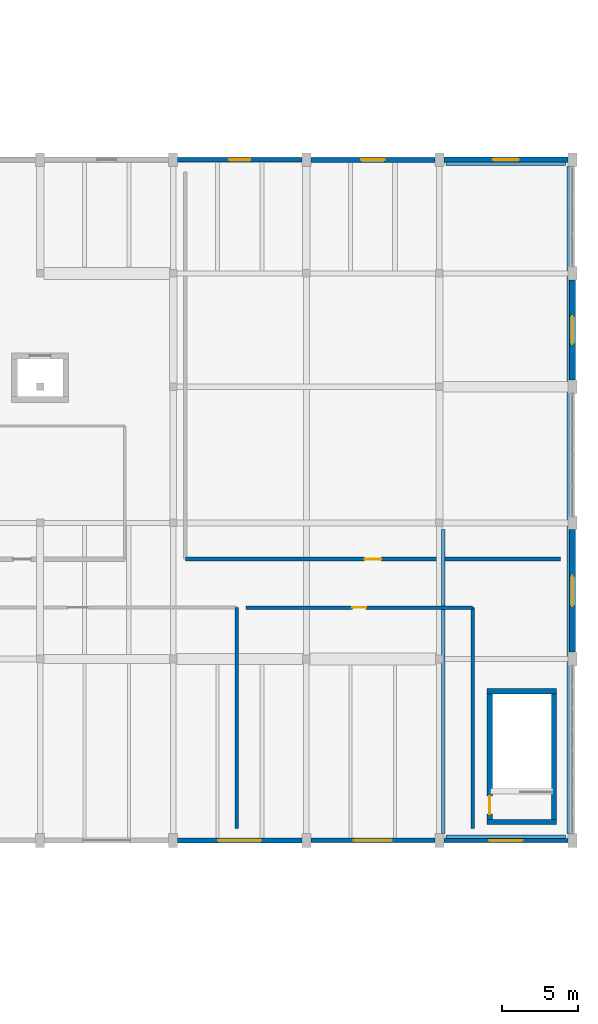
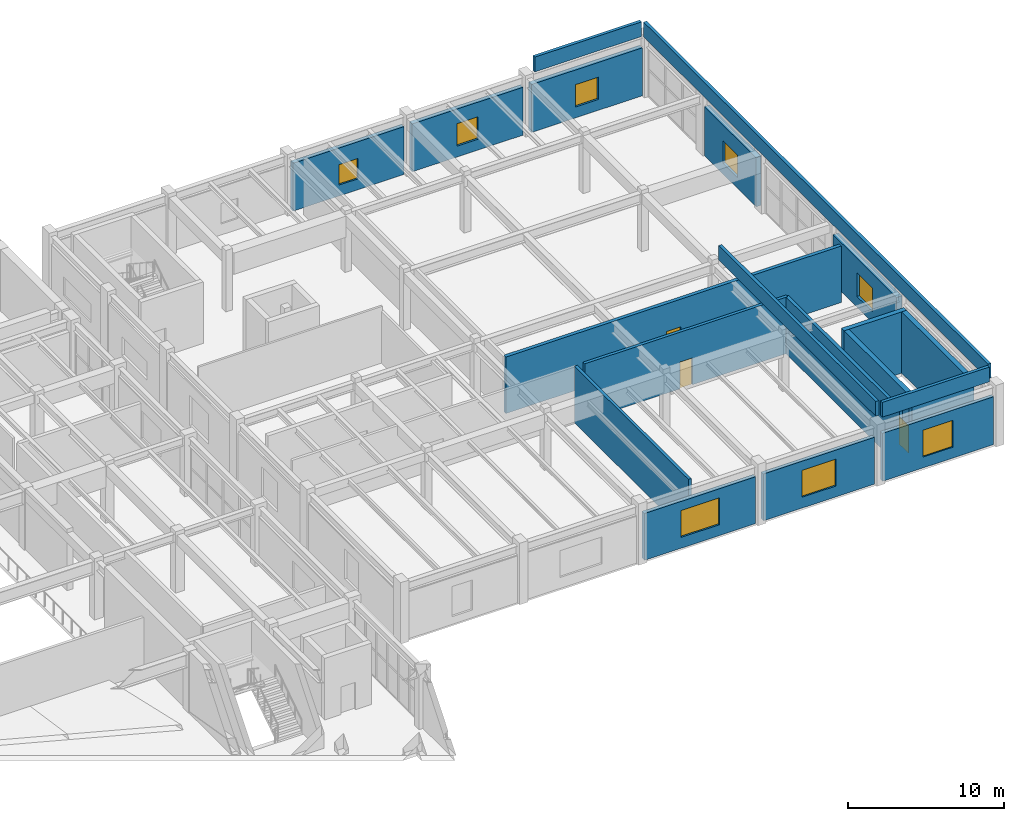
# One storey, part 63 of 80: 20 walls, 8 windows, 3 doors, 11 openings.
"""IFC4 building model written with IfcOpenShell, lengths in metres."""

from ifc_helpers import new_model, si_unit, direction, frame, frame_2d, origin, place, context, subcontext, project, spatial, rectangle, extrude, material, layer, layer_set, type_object, element, fill, save


model = new_model("IFC4")

# Units and contexts
model_context = context("Model", 3, precision=1e-05, world=origin(), true_north=direction((0.0, 1.0)))
body_context = subcontext(model_context, "Body", "Model", "MODEL_VIEW")
ifc_project = project(units=[si_unit("LENGTHUNIT", "METRE"), si_unit("AREAUNIT", "SQUARE_METRE"), si_unit("VOLUMEUNIT", "CUBIC_METRE"), si_unit("PLANEANGLEUNIT", "RADIAN"), si_unit("MASSUNIT", "GRAM", prefix="KILO")], contexts=[model_context])

# Site, building, storey
site_placement = place(None, origin())
site = spatial("IfcSite", under=ifc_project, at=site_placement, CompositionType="ELEMENT")
building_placement = place(site_placement, origin())
building = spatial("IfcBuilding", under=site, at=building_placement, Name="Vaelkrest Opera House", CompositionType="ELEMENT")
storey_placement = place(building_placement, frame((0.0, 0.0, 15.0)))
storey = spatial("IfcBuildingStorey", under=building, at=storey_placement, Name="L03", CompositionType="ELEMENT", Elevation=15.0)

# Wall, opening, window
ifc_material_1 = material(Name="Douglas fir glulam GL28h", Category="wood")
ifc_layer_1 = layer(ifc_material_1, 0.27490234375)
ifc_layer_set_1 = layer_set([ifc_layer_1], Name="Douglas fir glulam GL28h")
wall_type_1 = type_object("IfcWallType", Name="EW02", PredefinedType="STANDARD", material=ifc_layer_set_1)
wall_1_placement = place(storey_placement, frame((77.302001953125, -19.800048828125, 0.0), z_axis=(0.0, 0.0, 1.0), x_axis=(-1.0, 0.0, 0.0)))
wall_1 = element("IfcWall", 1, at=wall_1_placement, inside=storey, type_object=wall_type_1, Name="Exterior facade wall EW-V4-L03-0262", PredefinedType="STANDARD", context=body_context, shape_type="SweptSolid", body=[
    extrude(rectangle(XDim=8.2041015625, YDim=0.27490234375, at=frame_2d((4.10205078125, 0.0))), origin(), (0.0, 0.0, 1.0), 3.7451171875),
])
opening_1_placement = place(wall_1_placement, frame((3.001953125, 0.0, 0.85009765625)))
opening_1 = element("IfcOpeningElement", 2, at=opening_1_placement, cuts=wall_1, Name="Opening WN147", PredefinedType="OPENING", context=body_context, shape_type="SweptSolid", body=[
    extrude(rectangle(XDim=2.199951171875, YDim=2.10009765625, at=frame_2d((1.10009765625, 1.050048828125))), frame((0.0, 0.1474609375, 0.0), z_axis=(0.0, -1.0, 0.0), x_axis=(1.0, 0.0, 0.0)), (0.0, 0.0, 1.0), 0.294921875),
])
ifc_material_2 = material(Name="Double low-E insulated glazing", Category="glass")
window_type_1 = type_object("IfcWindowType", Name="WT17", PartitioningType="SINGLE_PANEL", PredefinedType="WINDOW", material=ifc_material_2)
window_1_placement = place(opening_1_placement, origin())
window_1 = element("IfcWindow", 3, at=window_1_placement, inside=storey, type_object=window_type_1, Name="Facade window WN147", OverallHeight=2.10009765625, OverallWidth=2.199951171875, PartitioningType="SINGLE_PANEL", PredefinedType="WINDOW", context=body_context, shape_type="SweptSolid", body=[
    extrude(rectangle(XDim=2.199951171875, YDim=2.10009765625, at=frame_2d((1.10009765625, 1.050048828125))), frame((0.0, 0.030029296875, 0.0), z_axis=(0.0, -1.0, 0.0), x_axis=(1.0, 0.0, 0.0)), (0.0, 0.0, 1.0), 0.06005859375),
])
fill(opening_1, window_1)

ifc_layer_2 = layer(ifc_material_1, 0.294921875)
ifc_layer_set_2 = layer_set([ifc_layer_2], Name="Douglas fir glulam GL28h")
wall_type_2 = type_object("IfcWallType", Name="EW03", PredefinedType="STANDARD", material=ifc_layer_set_2)
wall_2_placement = place(storey_placement, frame((68.501953125, -19.800048828125, 0.0), z_axis=(0.0, 0.0, 1.0), x_axis=(-1.0, 0.0, 0.0)))
wall_2 = element("IfcWall", 4, at=wall_2_placement, inside=storey, type_object=wall_type_2, Name="Exterior facade wall EW-V4-L03-0263", PredefinedType="STANDARD", context=body_context, shape_type="SweptSolid", body=[
    extrude(rectangle(XDim=8.203857421875, YDim=0.294921875, at=frame_2d((4.10205078125, 0.0))), origin(), (0.0, 0.0, 1.0), 3.659912109375),
])
opening_2_placement = place(wall_2_placement, frame((2.85205078125, 0.0, 0.85009765625)))
opening_2 = element("IfcOpeningElement", 5, at=opening_2_placement, cuts=wall_2, Name="Opening WN148", PredefinedType="OPENING", context=body_context, shape_type="SweptSolid", body=[
    extrude(rectangle(XDim=2.5, YDim=2.10009765625, at=frame_2d((1.25, 1.050048828125))), frame((0.0, 0.157470703125, 0.0), z_axis=(0.0, -1.0, 0.0), x_axis=(1.0, 0.0, 0.0)), (0.0, 0.0, 1.0), 0.31494140625),
])
window_type_2 = type_object("IfcWindowType", Name="WT18", PartitioningType="SINGLE_PANEL", PredefinedType="WINDOW", material=ifc_material_2)
window_2_placement = place(opening_2_placement, origin())
window_2 = element("IfcWindow", 6, at=window_2_placement, inside=storey, type_object=window_type_2, Name="Facade window WN148", OverallHeight=2.10009765625, OverallWidth=2.5, PartitioningType="SINGLE_PANEL", PredefinedType="WINDOW", context=body_context, shape_type="SweptSolid", body=[
    extrude(rectangle(XDim=2.5, YDim=2.10009765625, at=frame_2d((1.25, 1.050048828125))), frame((0.0, 0.030029296875, 0.0), z_axis=(0.0, -1.0, 0.0), x_axis=(1.0, 0.0, 0.0)), (0.0, 0.0, 1.0), 0.06005859375),
])
fill(opening_2, window_2)

ifc_material_3 = material(Name="American black walnut acoustic timber", Category="wood")
ifc_layer_3 = layer(ifc_material_3, 0.31494140625)
ifc_layer_set_3 = layer_set([ifc_layer_3], Name="American black walnut acoustic timber")
wall_type_3 = type_object("IfcWallType", Name="EW04", PredefinedType="STANDARD", material=ifc_layer_set_3)
wall_3_placement = place(storey_placement, frame((59.701904296875, -19.800048828125, 0.0), z_axis=(0.0, 0.0, 1.0), x_axis=(-1.0, 0.0, 0.0)))
wall_3 = element("IfcWall", 7, at=wall_3_placement, inside=storey, type_object=wall_type_3, Name="Exterior facade wall EW-V4-L03-0264", PredefinedType="STANDARD", context=body_context, shape_type="SweptSolid", body=[
    extrude(rectangle(XDim=8.203857421875, YDim=0.31494140625, at=frame_2d((4.10205078125, 0.0))), origin(), (0.0, 0.0, 1.0), 3.659912109375),
])
opening_3_placement = place(wall_3_placement, frame((2.677001953125, 0.0, 0.85009765625)))
opening_3 = element("IfcOpeningElement", 8, at=opening_3_placement, cuts=wall_3, Name="Opening WN149", PredefinedType="OPENING", context=body_context, shape_type="SweptSolid", body=[
    extrude(rectangle(XDim=2.85009765625, YDim=2.10009765625, at=frame_2d((1.425048828125, 1.050048828125))), frame((0.0, 0.16748046875, 0.0), z_axis=(0.0, -1.0, 0.0), x_axis=(1.0, 0.0, 0.0)), (0.0, 0.0, 1.0), 0.3349609375),
])
window_type_3 = type_object("IfcWindowType", Name="WT19", PartitioningType="SINGLE_PANEL", PredefinedType="WINDOW", material=ifc_material_2)
window_3_placement = place(opening_3_placement, origin())
window_3 = element("IfcWindow", 9, at=window_3_placement, inside=storey, type_object=window_type_3, Name="Facade window WN149", OverallHeight=2.10009765625, OverallWidth=2.85009765625, PartitioningType="SINGLE_PANEL", PredefinedType="WINDOW", context=body_context, shape_type="SweptSolid", body=[
    extrude(rectangle(XDim=2.85009765625, YDim=2.10009765625, at=frame_2d((1.425048828125, 1.050048828125))), frame((0.0, 0.030029296875, 0.0), z_axis=(0.0, -1.0, 0.0), x_axis=(1.0, 0.0, 0.0)), (0.0, 0.0, 1.0), 0.06005859375),
])
fill(opening_3, window_3)

wall_4_placement = place(storey_placement, frame((51.498046875, 25.199951171875, 0.0), z_axis=(0.0, 0.0, 1.0), x_axis=(1.0, 0.0, 0.0)))
wall_4 = element("IfcWall", 10, at=wall_4_placement, inside=storey, type_object=wall_type_3, Name="Exterior facade wall EW-V4-L03-0274", PredefinedType="STANDARD", context=body_context, shape_type="SweptSolid", body=[
    extrude(rectangle(XDim=8.203857421875, YDim=0.31494140625, at=frame_2d((4.10205078125, 0.0))), origin(), (0.0, 0.0, 1.0), 3.7451171875),
])
opening_4_placement = place(wall_4_placement, frame((3.402099609375, 0.0, 0.85009765625)))
opening_4 = element("IfcOpeningElement", 11, at=opening_4_placement, cuts=wall_4, Name="Opening WN159", PredefinedType="OPENING", context=body_context, shape_type="SweptSolid", body=[
    extrude(rectangle(XDim=1.39990234375, YDim=1.60009765625, at=frame_2d((0.699951171875, 0.800048828125))), frame((0.0, 0.16748046875, 0.0), z_axis=(0.0, -1.0, 0.0), x_axis=(1.0, 0.0, 0.0)), (0.0, 0.0, 1.0), 0.3349609375),
])
window_type_4 = type_object("IfcWindowType", Name="WT03", PartitioningType="SINGLE_PANEL", PredefinedType="WINDOW", material=ifc_material_2)
window_4_placement = place(opening_4_placement, origin())
window_4 = element("IfcWindow", 12, at=window_4_placement, inside=storey, type_object=window_type_4, Name="Facade window WN159", OverallHeight=1.60009765625, OverallWidth=1.39990234375, PartitioningType="SINGLE_PANEL", PredefinedType="WINDOW", context=body_context, shape_type="SweptSolid", body=[
    extrude(rectangle(XDim=1.39990234375, YDim=1.60009765625, at=frame_2d((0.699951171875, 0.800048828125))), frame((0.0, 0.030029296875, 0.0), z_axis=(0.0, -1.0, 0.0), x_axis=(1.0, 0.0, 0.0)), (0.0, 0.0, 1.0), 0.06005859375),
])
fill(opening_4, window_4)

ifc_layer_4 = layer(ifc_material_3, 0.3349609375)
ifc_layer_set_4 = layer_set([ifc_layer_4], Name="American black walnut acoustic timber")
wall_type_4 = type_object("IfcWallType", Name="EW05", PredefinedType="STANDARD", material=ifc_layer_set_4)
wall_5_placement = place(storey_placement, frame((60.298095703125, 25.199951171875, 0.0), z_axis=(0.0, 0.0, 1.0), x_axis=(1.0, 0.0, 0.0)))
wall_5 = element("IfcWall", 13, at=wall_5_placement, inside=storey, type_object=wall_type_4, Name="Exterior facade wall EW-V4-L03-0275", PredefinedType="STANDARD", context=body_context, shape_type="SweptSolid", body=[
    extrude(rectangle(XDim=8.203857421875, YDim=0.3349609375, at=frame_2d((4.10205078125, 0.0))), origin(), (0.0, 0.0, 1.0), 3.7451171875),
])
opening_5_placement = place(wall_5_placement, frame((3.326904296875, 0.0, 0.85009765625)))
opening_5 = element("IfcOpeningElement", 14, at=opening_5_placement, cuts=wall_5, Name="Opening WN160", PredefinedType="OPENING", context=body_context, shape_type="SweptSolid", body=[
    extrude(rectangle(XDim=1.550048828125, YDim=1.75, at=frame_2d((0.77490234375, 0.875))), frame((0.0, 0.177490234375, 0.0), z_axis=(0.0, -1.0, 0.0), x_axis=(1.0, 0.0, 0.0)), (0.0, 0.0, 1.0), 0.35498046875),
])
window_type_5 = type_object("IfcWindowType", Name="WT04", PartitioningType="SINGLE_PANEL", PredefinedType="WINDOW", material=ifc_material_2)
window_5_placement = place(opening_5_placement, origin())
window_5 = element("IfcWindow", 15, at=window_5_placement, inside=storey, type_object=window_type_5, Name="Facade window WN160", OverallHeight=1.75, OverallWidth=1.550048828125, PartitioningType="SINGLE_PANEL", PredefinedType="WINDOW", context=body_context, shape_type="SweptSolid", body=[
    extrude(rectangle(XDim=1.550048828125, YDim=1.75, at=frame_2d((0.77490234375, 0.875))), frame((0.0, 0.030029296875, 0.0), z_axis=(0.0, -1.0, 0.0), x_axis=(1.0, 0.0, 0.0)), (0.0, 0.0, 1.0), 0.06005859375),
])
fill(opening_5, window_5)

ifc_layer_5 = layer(ifc_material_3, 0.360107421875)
ifc_layer_set_5 = layer_set([ifc_layer_5], Name="American black walnut acoustic timber")
wall_type_5 = type_object("IfcWallType", Name="EW06", PredefinedType="STANDARD", material=ifc_layer_set_5)
wall_6_placement = place(storey_placement, frame((69.097900390625, 25.199951171875, 0.0), z_axis=(0.0, 0.0, 1.0), x_axis=(1.0, 0.0, 0.0)))
wall_6 = element("IfcWall", 16, at=wall_6_placement, inside=storey, type_object=wall_type_5, Name="Exterior facade wall EW-V4-L03-0276", PredefinedType="STANDARD", context=body_context, shape_type="SweptSolid", body=[
    extrude(rectangle(XDim=8.2041015625, YDim=0.360107421875, at=frame_2d((4.10205078125, 0.0))), origin(), (0.0, 0.0, 1.0), 3.7451171875),
])
opening_6_placement = place(wall_6_placement, frame((3.251953125, 0.0, 0.85009765625)))
opening_6 = element("IfcOpeningElement", 17, at=opening_6_placement, cuts=wall_6, Name="Opening WN161", PredefinedType="OPENING", context=body_context, shape_type="SweptSolid", body=[
    extrude(rectangle(XDim=1.699951171875, YDim=1.75, at=frame_2d((0.85009765625, 0.875))), frame((0.0, 0.18994140625, 0.0), z_axis=(0.0, -1.0, 0.0), x_axis=(1.0, 0.0, 0.0)), (0.0, 0.0, 1.0), 0.380126953125),
])
window_type_6 = type_object("IfcWindowType", Name="WT05", PartitioningType="SINGLE_PANEL", PredefinedType="WINDOW", material=ifc_material_2)
window_6_placement = place(opening_6_placement, origin())
window_6 = element("IfcWindow", 18, at=window_6_placement, inside=storey, type_object=window_type_6, Name="Facade window WN161", OverallHeight=1.75, OverallWidth=1.699951171875, PartitioningType="SINGLE_PANEL", PredefinedType="WINDOW", context=body_context, shape_type="SweptSolid", body=[
    extrude(rectangle(XDim=1.699951171875, YDim=1.75, at=frame_2d((0.85009765625, 0.875))), frame((0.0, 0.030029296875, 0.0), z_axis=(0.0, -1.0, 0.0), x_axis=(1.0, 0.0, 0.0)), (0.0, 0.0, 1.0), 0.06005859375),
])
fill(opening_6, window_6)

ifc_material_4 = material(Name="Concrete C40/50", Category="concrete")
ifc_layer_6 = layer(ifc_material_4, 0.385009765625)
ifc_layer_set_6 = layer_set([ifc_layer_6], Name="Concrete C40/50")
wall_type_6 = type_object("IfcWallType", Name="EW07", PredefinedType="STANDARD", material=ifc_layer_set_6)
wall_7_placement = place(storey_placement, frame((77.60009765625, 17.251953125, 0.0), z_axis=(0.0, 0.0, 1.0), x_axis=(0.0, -1.0, 0.0)))
wall_7 = element("IfcWall", 19, at=wall_7_placement, inside=storey, type_object=wall_type_6, Name="Exterior facade wall EW-V4-L03-0277", PredefinedType="STANDARD", context=body_context, shape_type="SweptSolid", body=[
    extrude(rectangle(XDim=6.60400390625, YDim=0.385009765625, at=frame_2d((3.302001953125, 0.0))), origin(), (0.0, 0.0, 1.0), 3.8291015625),
])
opening_7_placement = place(wall_7_placement, frame((2.376953125, 0.0, 0.85009765625)))
opening_7 = element("IfcOpeningElement", 20, at=opening_7_placement, cuts=wall_7, Name="Opening WN162", PredefinedType="OPENING", context=body_context, shape_type="SweptSolid", body=[
    extrude(rectangle(XDim=1.85009765625, YDim=1.75, at=frame_2d((0.925048828125, 0.875))), frame((0.0, 0.202392578125, 0.0), z_axis=(0.0, -1.0, 0.0), x_axis=(1.0, 0.0, 0.0)), (0.0, 0.0, 1.0), 0.405029296875),
])
window_type_7 = type_object("IfcWindowType", Name="WT06", PartitioningType="SINGLE_PANEL", PredefinedType="WINDOW", material=ifc_material_2)
window_7_placement = place(opening_7_placement, origin())
window_7 = element("IfcWindow", 21, at=window_7_placement, inside=storey, type_object=window_type_7, Name="Facade window WN162", OverallHeight=1.75, OverallWidth=1.85009765625, PartitioningType="SINGLE_PANEL", PredefinedType="WINDOW", context=body_context, shape_type="SweptSolid", body=[
    extrude(rectangle(XDim=1.85009765625, YDim=1.75, at=frame_2d((0.925048828125, 0.875))), frame((0.0, 0.030029296875, 0.0), z_axis=(0.0, -1.0, 0.0), x_axis=(1.0, 0.0, 0.0)), (0.0, 0.0, 1.0), 0.06005859375),
])
fill(opening_7, window_7)

ifc_layer_7 = layer(ifc_material_4, 0.409912109375)
ifc_layer_set_7 = layer_set([ifc_layer_7], Name="Concrete C40/50")
wall_type_7 = type_object("IfcWallType", Name="EW08", PredefinedType="STANDARD", material=ifc_layer_set_7)
wall_8_placement = place(storey_placement, frame((77.60009765625, 0.751953125, 0.0), z_axis=(0.0, 0.0, 1.0), x_axis=(0.0, -1.0, 0.0)))
wall_8 = element("IfcWall", 22, at=wall_8_placement, inside=storey, type_object=wall_type_7, Name="Exterior facade wall EW-V4-L03-0278", PredefinedType="STANDARD", context=body_context, shape_type="SweptSolid", body=[
    extrude(rectangle(XDim=8.10400390625, YDim=0.409912109375, at=frame_2d((4.052001953125, 0.0))), origin(), (0.0, 0.0, 1.0), 3.8291015625),
])
opening_8_placement = place(wall_8_placement, frame((3.052001953125, 0.0, 0.85009765625)))
opening_8 = element("IfcOpeningElement", 23, at=opening_8_placement, cuts=wall_8, Name="Opening WN163", PredefinedType="OPENING", context=body_context, shape_type="SweptSolid", body=[
    extrude(rectangle(XDim=2.0, YDim=1.85009765625, at=frame_2d((1.0, 0.925048828125))), frame((0.0, 0.21484375, 0.0), z_axis=(0.0, -1.0, 0.0), x_axis=(1.0, 0.0, 0.0)), (0.0, 0.0, 1.0), 0.429931640625),
])
window_type_8 = type_object("IfcWindowType", Name="WT07", PartitioningType="SINGLE_PANEL", PredefinedType="WINDOW", material=ifc_material_2)
window_8_placement = place(opening_8_placement, origin())
window_8 = element("IfcWindow", 24, at=window_8_placement, inside=storey, type_object=window_type_8, Name="Facade window WN163", OverallHeight=1.85009765625, OverallWidth=2.0, PartitioningType="SINGLE_PANEL", PredefinedType="WINDOW", context=body_context, shape_type="SweptSolid", body=[
    extrude(rectangle(XDim=2.0, YDim=1.85009765625, at=frame_2d((1.0, 0.925048828125))), frame((0.0, 0.030029296875, 0.0), z_axis=(0.0, -1.0, 0.0), x_axis=(1.0, 0.0, 0.0)), (0.0, 0.0, 1.0), 0.06005859375),
])
fill(opening_8, window_8)

# Walls
ifc_layer_8 = layer(ifc_material_4, 0.22998046875)
ifc_layer_set_8 = layer_set([ifc_layer_8], Name="Concrete C40/50")
wall_type_8 = type_object("IfcWallType", Name="PP02", PredefinedType="PARAPET", material=ifc_layer_set_8)
wall_9_placement = place(storey_placement, frame((69.25, -19.550048828125, 4.800048828125), z_axis=(0.0, 0.0, 1.0), x_axis=(1.0, 0.0, 0.0)))
element("IfcWall", 25, at=wall_9_placement, inside=storey, type_object=wall_type_8, Name="Roof parapet 05", PredefinedType="PARAPET", context=body_context, shape_type="SweptSolid", body=[
    extrude(rectangle(XDim=7.89990234375, YDim=0.22998046875, at=frame_2d((3.949951171875, 0.0))), origin(), (0.0, 0.0, 1.0), 1.14990234375),
])
wall_10_placement = place(storey_placement, frame((77.35009765625, -19.35009765625, 4.800048828125), z_axis=(0.0, 0.0, 1.0), x_axis=(0.0, 1.0, 0.0)))
element("IfcWall", 26, at=wall_10_placement, inside=storey, type_object=wall_type_8, Name="Roof parapet 06", PredefinedType="PARAPET", context=body_context, shape_type="SweptSolid", body=[
    extrude(rectangle(XDim=44.10009765625, YDim=0.22998046875, at=frame_2d((22.050048828125, 0.0))), origin(), (0.0, 0.0, 1.0), 1.14990234375),
])
wall_11_placement = place(storey_placement, frame((77.14990234375, 24.949951171875, 4.800048828125), z_axis=(0.0, 0.0, 1.0), x_axis=(-1.0, 0.0, 0.0)))
element("IfcWall", 27, at=wall_11_placement, inside=storey, type_object=wall_type_8, Name="Roof parapet 07", PredefinedType="PARAPET", context=body_context, shape_type="SweptSolid", body=[
    extrude(rectangle(XDim=7.89990234375, YDim=0.22998046875, at=frame_2d((3.949951171875, 0.0))), origin(), (0.0, 0.0, 1.0), 1.14990234375),
])
wall_12_placement = place(storey_placement, frame((69.050048828125, 0.75, 4.800048828125), z_axis=(0.0, 0.0, 1.0), x_axis=(0.0, -1.0, 0.0)))
element("IfcWall", 28, at=wall_12_placement, inside=storey, type_object=wall_type_8, Name="Roof parapet 08", PredefinedType="PARAPET", context=body_context, shape_type="SweptSolid", body=[
    extrude(rectangle(XDim=20.10009765625, YDim=0.22998046875, at=frame_2d((10.050048828125, 0.0))), origin(), (0.0, 0.0, 1.0), 1.14990234375),
])
ifc_layer_9 = layer(ifc_material_3, 0.2099609375)
ifc_layer_set_9 = layer_set([ifc_layer_9], Name="American black walnut acoustic timber")
wall_type_9 = type_object("IfcWallType", Name="PT07", PredefinedType="PARTITIONING", material=ifc_layer_set_9)
wall_13_placement = place(storey_placement, frame((55.39990234375, -19.0, 0.0), z_axis=(0.0, 0.0, 1.0), x_axis=(0.0, 1.0, 0.0)))
element("IfcWall", 29, at=wall_13_placement, inside=storey, type_object=wall_type_9, Name="Interior partition PT-V4-L03-0385", PredefinedType="PARTITIONING", context=body_context, shape_type="SweptSolid", body=[
    extrude(rectangle(XDim=14.60009765625, YDim=0.2099609375, at=frame_2d((7.300048828125, 0.0))), origin(), (0.0, 0.0, 1.0), 4.419921875),
])

# Wall, opening, door
ifc_layer_10 = layer(ifc_material_3, 0.22509765625)
ifc_layer_set_10 = layer_set([ifc_layer_10], Name="American black walnut acoustic timber")
wall_type_10 = type_object("IfcWallType", Name="PT08", PredefinedType="PARTITIONING", material=ifc_layer_set_10)
wall_14_placement = place(storey_placement, frame((56.0, -4.39990234375, 0.0), z_axis=(0.0, 0.0, 1.0), x_axis=(1.0, 0.0, 0.0)))
wall_14 = element("IfcWall", 30, at=wall_14_placement, inside=storey, type_object=wall_type_10, Name="Interior partition PT-V4-L03-0386", PredefinedType="PARTITIONING", context=body_context, shape_type="SweptSolid", body=[
    extrude(rectangle(XDim=15.0, YDim=0.22509765625, at=frame_2d((7.5, 0.0))), origin(), (0.0, 0.0, 1.0), 4.419921875),
])
opening_9_placement = place(wall_14_placement, frame((7.050048828125, 0.0, 0.0)))
opening_9 = element("IfcOpeningElement", 31, at=opening_9_placement, cuts=wall_14, Name="Opening D159", PredefinedType="OPENING", context=body_context, shape_type="SweptSolid", body=[
    extrude(rectangle(XDim=0.89990234375, YDim=2.10009765625, at=frame_2d((0.449951171875, 1.050048828125))), frame((0.0, 0.12255859375, 0.0), z_axis=(0.0, -1.0, 0.0), x_axis=(1.0, 0.0, 0.0)), (0.0, 0.0, 1.0), 0.2451171875),
])
door_type_1 = type_object("IfcDoorType", Name="DT01", OperationType="NOTDEFINED", PredefinedType="DOOR", material=ifc_material_3)
door_1_placement = place(opening_9_placement, origin())
door_1 = element("IfcDoor", 32, at=door_1_placement, inside=storey, type_object=door_type_1, Name="Interior door D159 (Dressing En-Suite Washroom)", OperationType="SINGLE_SWING_RIGHT", OverallHeight=2.10009765625, OverallWidth=0.89990234375, PredefinedType="DOOR", context=body_context, shape_type="SweptSolid", body=[
    extrude(rectangle(XDim=0.89990234375, YDim=2.10009765625, at=frame_2d((0.449951171875, 1.050048828125))), frame((0.0, 0.02490234375, 0.0), z_axis=(0.0, -1.0, 0.0), x_axis=(1.0, 0.0, 0.0)), (0.0, 0.0, 1.0), 0.050048828125),
])
fill(opening_9, door_1)

# Wall
ifc_layer_11 = layer(ifc_material_4, 0.239990234375)
ifc_layer_set_11 = layer_set([ifc_layer_11], Name="Concrete C40/50")
wall_type_11 = type_object("IfcWallType", Name="PT09", PredefinedType="PARTITIONING", material=ifc_layer_set_11)
wall_15_placement = place(storey_placement, frame((71.0, -19.0, 0.0), z_axis=(0.0, 0.0, 1.0), x_axis=(0.0, 1.0, 0.0)))
element("IfcWall", 33, at=wall_15_placement, inside=storey, type_object=wall_type_11, Name="Interior partition PT-V4-L03-0387", PredefinedType="PARTITIONING", context=body_context, shape_type="SweptSolid", body=[
    extrude(rectangle(XDim=14.60009765625, YDim=0.239990234375, at=frame_2d((7.300048828125, 0.0))), origin(), (0.0, 0.0, 1.0), 4.419921875),
])

# Wall, opening, door
ifc_layer_12 = layer(ifc_material_4, 0.260009765625)
ifc_layer_set_12 = layer_set([ifc_layer_12], Name="Concrete C40/50")
wall_type_12 = type_object("IfcWallType", Name="PT10", PredefinedType="PARTITIONING", material=ifc_layer_set_12)
wall_16_placement = place(storey_placement, frame((52.0, -1.199951171875, 0.0), z_axis=(0.0, 0.0, 1.0), x_axis=(1.0, 0.0, 0.0)))
wall_16 = element("IfcWall", 34, at=wall_16_placement, inside=storey, type_object=wall_type_12, Name="Interior partition PT-V4-L03-0388", PredefinedType="PARTITIONING", context=body_context, shape_type="SweptSolid", body=[
    extrude(rectangle(XDim=24.800048828125, YDim=0.260009765625, at=frame_2d((12.39990234375, 0.0))), origin(), (0.0, 0.0, 1.0), 4.419921875),
])
opening_10_placement = place(wall_16_placement, frame((11.860107421875, 0.0, 0.0)))
opening_10 = element("IfcOpeningElement", 35, at=opening_10_placement, cuts=wall_16, Name="Opening D160", PredefinedType="OPENING", context=body_context, shape_type="SweptSolid", body=[
    extrude(rectangle(XDim=1.080078125, YDim=2.25, at=frame_2d((0.5400390625, 1.125))), frame((0.0, 0.139892578125, 0.0), z_axis=(0.0, -1.0, 0.0), x_axis=(1.0, 0.0, 0.0)), (0.0, 0.0, 1.0), 0.280029296875),
])
door_type_2 = type_object("IfcDoorType", Name="DT11", OperationType="NOTDEFINED", PredefinedType="DOOR", material=ifc_material_3)
door_2_placement = place(opening_10_placement, origin())
door_2 = element("IfcDoor", 36, at=door_2_placement, inside=storey, type_object=door_type_2, Name="Interior door D160 (Music Library Archive)", OperationType="SINGLE_SWING_LEFT", OverallHeight=2.25, OverallWidth=1.080078125, PredefinedType="DOOR", context=body_context, shape_type="SweptSolid", body=[
    extrude(rectangle(XDim=1.080078125, YDim=2.25, at=frame_2d((0.5400390625, 1.125))), frame((0.0, 0.02490234375, 0.0), z_axis=(0.0, -1.0, 0.0), x_axis=(1.0, 0.0, 0.0)), (0.0, 0.0, 1.0), 0.050048828125),
])
fill(opening_10, door_2)

# Wall
ifc_material_5 = material(Name="Concrete C50/60", Category="concrete")
ifc_layer_13 = layer(ifc_material_5, 0.35009765625)
ifc_layer_set_13 = layer_set([ifc_layer_13], Name="Concrete C50/60")
wall_type_13 = type_object("IfcWallType", Name="SW01", PredefinedType="SHEAR", material=ifc_layer_set_13)
wall_17_placement = place(storey_placement, frame((76.550048828125, -18.574951171875, 0.0), z_axis=(0.0, 0.0, 1.0), x_axis=(-1.0, 0.0, 0.0)))
element("IfcWall", 37, at=wall_17_placement, inside=storey, type_object=wall_type_13, Name="Stair core ST10 wall L03 S", PredefinedType="SHEAR", context=body_context, shape_type="SweptSolid", body=[
    extrude(rectangle(XDim=4.60009765625, YDim=0.35009765625, at=frame_2d((2.300048828125, 0.0))), origin(), (0.0, 0.0, 1.0), 4.800048828125),
])

# Wall, opening, door
wall_18_placement = place(storey_placement, frame((72.125, -18.39990234375, 0.0), z_axis=(0.0, 0.0, 1.0), x_axis=(0.0, 1.0, 0.0)))
wall_18 = element("IfcWall", 38, at=wall_18_placement, inside=storey, type_object=wall_type_13, Name="Stair core ST10 wall L03 W", PredefinedType="SHEAR", context=body_context, shape_type="SweptSolid", body=[
    extrude(rectangle(XDim=8.2998046875, YDim=0.35009765625, at=frame_2d((4.14990234375, 0.0))), origin(), (0.0, 0.0, 1.0), 4.800048828125),
])
opening_11_placement = place(wall_18_placement, frame((0.35009765625, 0.0, 0.0)))
opening_11 = element("IfcOpeningElement", 39, at=opening_11_placement, cuts=wall_18, Name="Opening SD-ST10-L03", PredefinedType="OPENING", context=body_context, shape_type="SweptSolid", body=[
    extrude(rectangle(XDim=1.179931640625, YDim=2.14990234375, at=frame_2d((0.58984375, 1.074951171875))), frame((0.0, 0.18505859375, 0.0), z_axis=(0.0, -1.0, 0.0), x_axis=(1.0, 0.0, 0.0)), (0.0, 0.0, 1.0), 0.3701171875),
])
door_type_3 = type_object("IfcDoorType", Name="DT07", OperationType="NOTDEFINED", PredefinedType="DOOR", material=ifc_material_3)
door_3_placement = place(opening_11_placement, origin())
door_3 = element("IfcDoor", 40, at=door_3_placement, inside=storey, type_object=door_type_3, Name="Protected stair door SD-ST10-L03", OperationType="SINGLE_SWING_LEFT", OverallHeight=2.14990234375, OverallWidth=1.179931640625, PredefinedType="DOOR", context=body_context, shape_type="SweptSolid", body=[
    extrude(rectangle(XDim=1.179931640625, YDim=2.14990234375, at=frame_2d((0.58984375, 1.074951171875))), frame((0.0, 0.02490234375, 0.0), z_axis=(0.0, -1.0, 0.0), x_axis=(1.0, 0.0, 0.0)), (0.0, 0.0, 1.0), 0.050048828125),
])
fill(opening_11, door_3)

# Walls
wall_19_placement = place(storey_placement, frame((71.949951171875, -9.925048828125, 0.0), z_axis=(0.0, 0.0, 1.0), x_axis=(1.0, 0.0, 0.0)))
element("IfcWall", 41, at=wall_19_placement, inside=storey, type_object=wall_type_13, Name="Stair core ST10 wall L03 N", PredefinedType="SHEAR", context=body_context, shape_type="SweptSolid", body=[
    extrude(rectangle(XDim=4.60009765625, YDim=0.35009765625, at=frame_2d((2.300048828125, 0.0))), origin(), (0.0, 0.0, 1.0), 4.800048828125),
])
wall_20_placement = place(storey_placement, frame((76.375, -10.10009765625, 0.0), z_axis=(0.0, 0.0, 1.0), x_axis=(0.0, -1.0, 0.0)))
element("IfcWall", 42, at=wall_20_placement, inside=storey, type_object=wall_type_13, Name="Stair core ST10 wall L03 E", PredefinedType="SHEAR", context=body_context, shape_type="SweptSolid", body=[
    extrude(rectangle(XDim=8.2998046875, YDim=0.35009765625, at=frame_2d((4.14990234375, 0.0))), origin(), (0.0, 0.0, 1.0), 4.800048828125),
])

save(model, "model.ifc")
